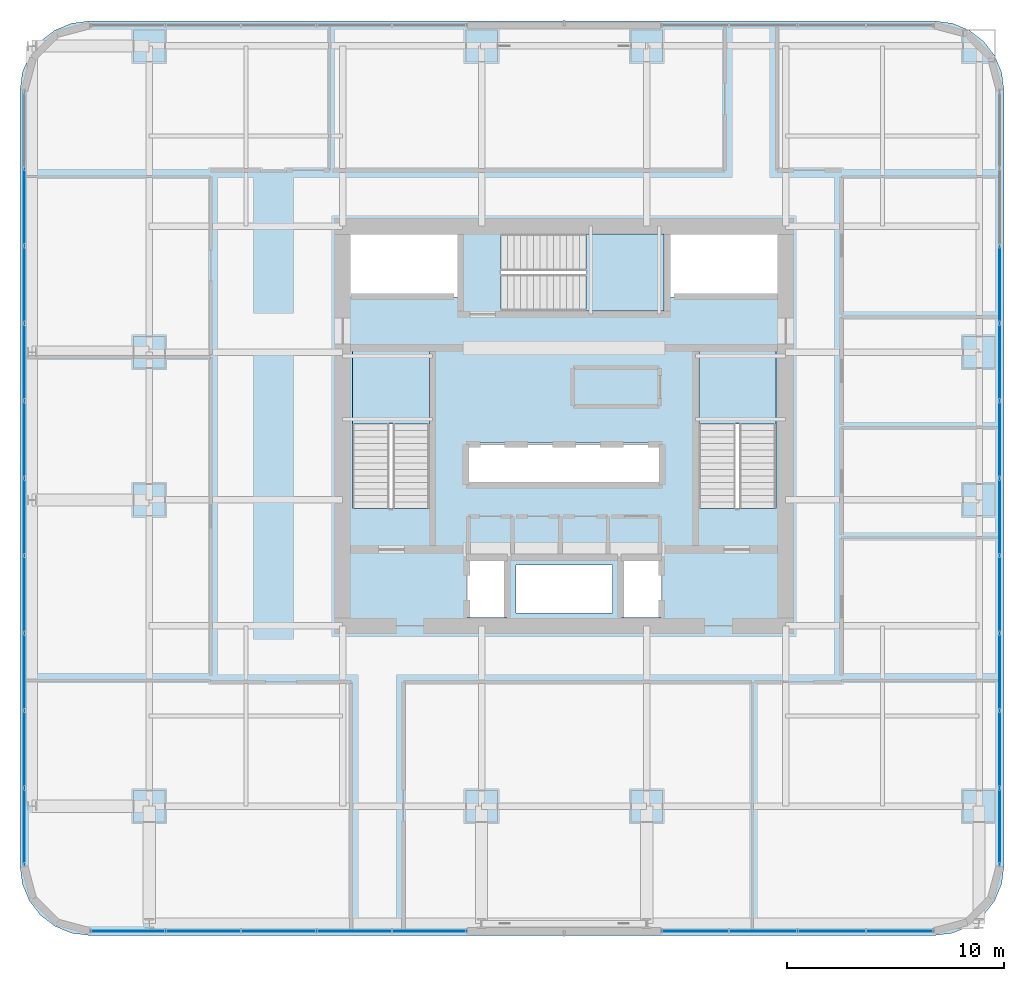
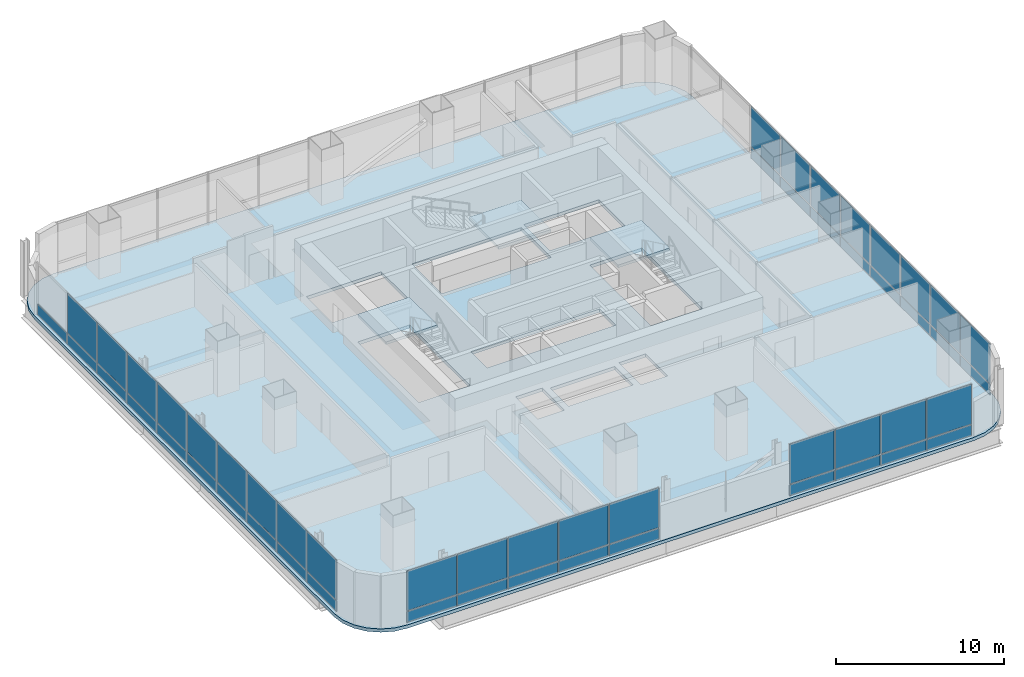
# One storey, part 23 of 37: 53 plates, 4 slabs, 7 elements without a shape of their own.
"""IFC4 building model written with IfcOpenShell, lengths in metres."""

from ifc_helpers import new_model, si_unit, direction, frame, origin, origin_2d, place, context, subcontext, project, spatial, polyline, rectangle, outline, extrude, material, layer, layer_set, type_object, element, aggregate, save


model = new_model("IFC4")

# Units and contexts
model_context = context("Model", 3, precision=1e-05, world=origin(), true_north=direction((0.0, 1.0)))
body_context = subcontext(model_context, "Body", "Model", "MODEL_VIEW")
ifc_project = project(units=[si_unit("LENGTHUNIT", "METRE"), si_unit("AREAUNIT", "SQUARE_METRE"), si_unit("VOLUMEUNIT", "CUBIC_METRE"), si_unit("PLANEANGLEUNIT", "RADIAN"), si_unit("MASSUNIT", "GRAM", prefix="KILO")], contexts=[model_context])

# Site, building, storey
site_placement = place(None, origin())
site = spatial("IfcSite", under=ifc_project, at=site_placement, CompositionType="ELEMENT")
building_placement = place(site_placement, origin())
building = spatial("IfcBuilding", under=site, at=building_placement, Name="Punatoya Terracotta Tower", CompositionType="ELEMENT")
storey_placement = place(building_placement, frame((0.0, 0.0, 44.39990234375)))
storey = spatial("IfcBuildingStorey", under=building, at=storey_placement, Name="L09", CompositionType="ELEMENT", Elevation=44.39990234375)

# Curtain wall, plates
ifc_material_1 = material(Name="Aluminium 6063-T6 + Double Low-E Glass", Category="aluminium")
curtain_wall_type = type_object("IfcCurtainWallType", Name="CW-M1", PredefinedType="NOTDEFINED", material=ifc_material_1)
curtain_wall_1_placement = place(storey_placement, origin())
curtain_wall_1 = element("IfcCurtainWall", 1, at=curtain_wall_1_placement, inside=storey, type_object=curtain_wall_type, Name="L09 Curtain Wall CW-L09-S01-1", PredefinedType="NOTDEFINED")
ifc_material_2 = material(Name="Double Low-E Clear Vision Glass", Category="glass")
ifc_layer_1 = layer(ifc_material_2, 0.028076171875)
ifc_layer_set_1 = layer_set([ifc_layer_1], Name="Double Low-E Clear Vision Glass")
plate_type_1 = type_object("IfcPlateType", Name="PLT-GLZ-28", PredefinedType="CURTAIN_PANEL", material=ifc_layer_set_1)
plate_1_placement = place(storey_placement, frame((-20.09814453125, -23.25, 0.89013671875), z_axis=(0.0, 0.0, 1.0), x_axis=(1.0, 0.0, 0.0)))
plate_1 = element("IfcPlate", 2, at=plate_1_placement, type_object=plate_type_1, Name="CW-L09-S01-1 Vision Glass Panel 1", PredefinedType="CURTAIN_PANEL", context=body_context, shape_type="SweptSolid", body=[
    extrude(rectangle(XDim=3.392333984375, YDim=0.028076171875, at=origin_2d()), origin(), (0.0, 0.0, 1.0), 2.8798828125),
])
plate_2_placement = place(storey_placement, frame((-16.620849609375, -23.25, 0.89013671875), z_axis=(0.0, 0.0, 1.0), x_axis=(1.0, 0.0, 0.0)))
plate_2 = element("IfcPlate", 3, at=plate_2_placement, type_object=plate_type_1, Name="CW-L09-S01-1 Vision Glass Panel 2", PredefinedType="CURTAIN_PANEL", context=body_context, shape_type="SweptSolid", body=[
    extrude(rectangle(XDim=3.392333984375, YDim=0.028076171875, at=origin_2d()), origin(), (0.0, 0.0, 1.0), 2.8798828125),
])
plate_3_placement = place(storey_placement, frame((-13.143310546875, -23.25, 0.89013671875), z_axis=(0.0, 0.0, 1.0), x_axis=(1.0, 0.0, 0.0)))
plate_3 = element("IfcPlate", 4, at=plate_3_placement, type_object=plate_type_1, Name="CW-L09-S01-1 Vision Glass Panel 3", PredefinedType="CURTAIN_PANEL", context=body_context, shape_type="SweptSolid", body=[
    extrude(rectangle(XDim=3.392333984375, YDim=0.028076171875, at=origin_2d()), origin(), (0.0, 0.0, 1.0), 2.8798828125),
])
plate_4_placement = place(storey_placement, frame((-9.666015625, -23.25, 0.89013671875), z_axis=(0.0, 0.0, 1.0), x_axis=(1.0, 0.0, 0.0)))
plate_4 = element("IfcPlate", 5, at=plate_4_placement, type_object=plate_type_1, Name="CW-L09-S01-1 Vision Glass Panel 4", PredefinedType="CURTAIN_PANEL", context=body_context, shape_type="SweptSolid", body=[
    extrude(rectangle(XDim=3.392333984375, YDim=0.028076171875, at=origin_2d()), origin(), (0.0, 0.0, 1.0), 2.8798828125),
])
plate_5_placement = place(storey_placement, frame((-6.188720703125, -23.25, 0.89013671875), z_axis=(0.0, 0.0, 1.0), x_axis=(1.0, 0.0, 0.0)))
plate_5 = element("IfcPlate", 6, at=plate_5_placement, type_object=plate_type_1, Name="CW-L09-S01-1 Vision Glass Panel 5", PredefinedType="CURTAIN_PANEL", context=body_context, shape_type="SweptSolid", body=[
    extrude(rectangle(XDim=3.392333984375, YDim=0.028076171875, at=origin_2d()), origin(), (0.0, 0.0, 1.0), 2.8798828125),
])

curtain_wall_2_placement = place(storey_placement, origin())
curtain_wall_2 = element("IfcCurtainWall", 7, at=curtain_wall_2_placement, inside=storey, type_object=curtain_wall_type, Name="L09 Curtain Wall CW-L09-S01-2", PredefinedType="NOTDEFINED")
plate_6_placement = place(storey_placement, frame((6.0234375, -23.25, 0.89013671875), z_axis=(0.0, 0.0, 1.0), x_axis=(1.0, 0.0, 0.0)))
plate_6 = element("IfcPlate", 8, at=plate_6_placement, type_object=plate_type_1, Name="CW-L09-S01-2 Vision Glass Panel 1", PredefinedType="CURTAIN_PANEL", context=body_context, shape_type="SweptSolid", body=[
    extrude(rectangle(XDim=3.061767578125, YDim=0.028076171875, at=origin_2d()), origin(), (0.0, 0.0, 1.0), 2.8798828125),
])
plate_7_placement = place(storey_placement, frame((9.170166015625, -23.25, 0.89013671875), z_axis=(0.0, 0.0, 1.0), x_axis=(1.0, 0.0, 0.0)))
plate_7 = element("IfcPlate", 9, at=plate_7_placement, type_object=plate_type_1, Name="CW-L09-S01-2 Vision Glass Panel 2", PredefinedType="CURTAIN_PANEL", context=body_context, shape_type="SweptSolid", body=[
    extrude(rectangle(XDim=3.061767578125, YDim=0.028076171875, at=origin_2d()), origin(), (0.0, 0.0, 1.0), 2.8798828125),
])
plate_8_placement = place(storey_placement, frame((12.31689453125, -23.25, 0.89013671875), z_axis=(0.0, 0.0, 1.0), x_axis=(1.0, 0.0, 0.0)))
plate_8 = element("IfcPlate", 10, at=plate_8_placement, type_object=plate_type_1, Name="CW-L09-S01-2 Vision Glass Panel 3", PredefinedType="CURTAIN_PANEL", context=body_context, shape_type="SweptSolid", body=[
    extrude(rectangle(XDim=3.061767578125, YDim=0.028076171875, at=origin_2d()), origin(), (0.0, 0.0, 1.0), 2.8798828125),
])
plate_9_placement = place(storey_placement, frame((15.46337890625, -23.25, 0.89013671875), z_axis=(0.0, 0.0, 1.0), x_axis=(1.0, 0.0, 0.0)))
plate_9 = element("IfcPlate", 11, at=plate_9_placement, type_object=plate_type_1, Name="CW-L09-S01-2 Vision Glass Panel 4", PredefinedType="CURTAIN_PANEL", context=body_context, shape_type="SweptSolid", body=[
    extrude(rectangle(XDim=3.061767578125, YDim=0.028076171875, at=origin_2d()), origin(), (0.0, 0.0, 1.0), 2.8798828125),
])

curtain_wall_3_placement = place(storey_placement, origin())
curtain_wall_3 = element("IfcCurtainWall", 12, at=curtain_wall_3_placement, inside=storey, type_object=curtain_wall_type, Name="L09 Curtain Wall CW-L09-E05-1", PredefinedType="NOTDEFINED")
plate_10_placement = place(storey_placement, frame((20.050048828125, -18.453125, 0.89013671875), z_axis=(0.0, 0.0, 1.0), x_axis=(0.0, 1.0, 0.0)))
plate_10 = element("IfcPlate", 13, at=plate_10_placement, type_object=plate_type_1, Name="CW-L09-E05-1 Vision Glass Panel 1", PredefinedType="CURTAIN_PANEL", context=body_context, shape_type="SweptSolid", body=[
    extrude(rectangle(XDim=3.482421875, YDim=0.028076171875, at=origin_2d()), origin(), (0.0, 0.0, 1.0), 2.8798828125),
])
plate_11_placement = place(storey_placement, frame((20.050048828125, -14.8857421875, 0.89013671875), z_axis=(0.0, 0.0, 1.0), x_axis=(0.0, 1.0, 0.0)))
plate_11 = element("IfcPlate", 14, at=plate_11_placement, type_object=plate_type_1, Name="CW-L09-E05-1 Vision Glass Panel 2", PredefinedType="CURTAIN_PANEL", context=body_context, shape_type="SweptSolid", body=[
    extrude(rectangle(XDim=3.482421875, YDim=0.028076171875, at=origin_2d()), origin(), (0.0, 0.0, 1.0), 2.8798828125),
])
plate_12_placement = place(storey_placement, frame((20.050048828125, -11.318359375, 0.89013671875), z_axis=(0.0, 0.0, 1.0), x_axis=(0.0, 1.0, 0.0)))
plate_12 = element("IfcPlate", 15, at=plate_12_placement, type_object=plate_type_1, Name="CW-L09-E05-1 Vision Glass Panel 3", PredefinedType="CURTAIN_PANEL", context=body_context, shape_type="SweptSolid", body=[
    extrude(rectangle(XDim=3.482421875, YDim=0.028076171875, at=origin_2d()), origin(), (0.0, 0.0, 1.0), 2.8798828125),
])
plate_13_placement = place(storey_placement, frame((20.050048828125, -7.751220703125, 0.89013671875), z_axis=(0.0, 0.0, 1.0), x_axis=(0.0, 1.0, 0.0)))
plate_13 = element("IfcPlate", 16, at=plate_13_placement, type_object=plate_type_1, Name="CW-L09-E05-1 Vision Glass Panel 4", PredefinedType="CURTAIN_PANEL", context=body_context, shape_type="SweptSolid", body=[
    extrude(rectangle(XDim=3.482421875, YDim=0.028076171875, at=origin_2d()), origin(), (0.0, 0.0, 1.0), 2.8798828125),
])
plate_14_placement = place(storey_placement, frame((20.050048828125, -4.18359375, 0.89013671875), z_axis=(0.0, 0.0, 1.0), x_axis=(0.0, 1.0, 0.0)))
plate_14 = element("IfcPlate", 17, at=plate_14_placement, type_object=plate_type_1, Name="CW-L09-E05-1 Vision Glass Panel 5", PredefinedType="CURTAIN_PANEL", context=body_context, shape_type="SweptSolid", body=[
    extrude(rectangle(XDim=3.482421875, YDim=0.028076171875, at=origin_2d()), origin(), (0.0, 0.0, 1.0), 2.8798828125),
])
plate_15_placement = place(storey_placement, frame((20.050048828125, -0.6162109375, 0.89013671875), z_axis=(0.0, 0.0, 1.0), x_axis=(0.0, 1.0, 0.0)))
plate_15 = element("IfcPlate", 18, at=plate_15_placement, type_object=plate_type_1, Name="CW-L09-E05-1 Vision Glass Panel 6", PredefinedType="CURTAIN_PANEL", context=body_context, shape_type="SweptSolid", body=[
    extrude(rectangle(XDim=3.482421875, YDim=0.028076171875, at=origin_2d()), origin(), (0.0, 0.0, 1.0), 2.8798828125),
])
plate_16_placement = place(storey_placement, frame((20.050048828125, 2.951171875, 0.89013671875), z_axis=(0.0, 0.0, 1.0), x_axis=(0.0, 1.0, 0.0)))
plate_16 = element("IfcPlate", 19, at=plate_16_placement, type_object=plate_type_1, Name="CW-L09-E05-1 Vision Glass Panel 7", PredefinedType="CURTAIN_PANEL", context=body_context, shape_type="SweptSolid", body=[
    extrude(rectangle(XDim=3.482421875, YDim=0.028076171875, at=origin_2d()), origin(), (0.0, 0.0, 1.0), 2.8798828125),
])
plate_17_placement = place(storey_placement, frame((20.050048828125, 6.518310546875, 0.89013671875), z_axis=(0.0, 0.0, 1.0), x_axis=(0.0, 1.0, 0.0)))
plate_17 = element("IfcPlate", 20, at=plate_17_placement, type_object=plate_type_1, Name="CW-L09-E05-1 Vision Glass Panel 8", PredefinedType="CURTAIN_PANEL", context=body_context, shape_type="SweptSolid", body=[
    extrude(rectangle(XDim=3.482421875, YDim=0.028076171875, at=origin_2d()), origin(), (0.0, 0.0, 1.0), 2.8798828125),
])

curtain_wall_4_placement = place(storey_placement, origin())
curtain_wall_4 = element("IfcCurtainWall", 21, at=curtain_wall_4_placement, inside=storey, type_object=curtain_wall_type, Name="L09 Curtain Wall CW-L09-W13-1", PredefinedType="NOTDEFINED")
plate_18_placement = place(storey_placement, frame((-24.85009765625, 10.085693359375, 0.89013671875), z_axis=(0.0, 0.0, 1.0), x_axis=(0.0, -1.0, 0.0)))
plate_18 = element("IfcPlate", 22, at=plate_18_placement, type_object=plate_type_1, Name="CW-L09-W13-1 Vision Glass Panel 2", PredefinedType="CURTAIN_PANEL", context=body_context, shape_type="SweptSolid", body=[
    extrude(rectangle(XDim=3.482421875, YDim=0.028076171875, at=origin_2d()), origin(), (0.0, 0.0, 1.0), 2.8798828125),
])
plate_19_placement = place(storey_placement, frame((-24.85009765625, 6.518310546875, 0.89013671875), z_axis=(0.0, 0.0, 1.0), x_axis=(0.0, -1.0, 0.0)))
plate_19 = element("IfcPlate", 23, at=plate_19_placement, type_object=plate_type_1, Name="CW-L09-W13-1 Vision Glass Panel 3", PredefinedType="CURTAIN_PANEL", context=body_context, shape_type="SweptSolid", body=[
    extrude(rectangle(XDim=3.482421875, YDim=0.028076171875, at=origin_2d()), origin(), (0.0, 0.0, 1.0), 2.8798828125),
])
plate_20_placement = place(storey_placement, frame((-24.85009765625, 2.951171875, 0.89013671875), z_axis=(0.0, 0.0, 1.0), x_axis=(0.0, -1.0, 0.0)))
plate_20 = element("IfcPlate", 24, at=plate_20_placement, type_object=plate_type_1, Name="CW-L09-W13-1 Vision Glass Panel 4", PredefinedType="CURTAIN_PANEL", context=body_context, shape_type="SweptSolid", body=[
    extrude(rectangle(XDim=3.482421875, YDim=0.028076171875, at=origin_2d()), origin(), (0.0, 0.0, 1.0), 2.8798828125),
])
plate_21_placement = place(storey_placement, frame((-24.85009765625, -0.6162109375, 0.89013671875), z_axis=(0.0, 0.0, 1.0), x_axis=(0.0, -1.0, 0.0)))
plate_21 = element("IfcPlate", 25, at=plate_21_placement, type_object=plate_type_1, Name="CW-L09-W13-1 Vision Glass Panel 5", PredefinedType="CURTAIN_PANEL", context=body_context, shape_type="SweptSolid", body=[
    extrude(rectangle(XDim=3.482421875, YDim=0.028076171875, at=origin_2d()), origin(), (0.0, 0.0, 1.0), 2.8798828125),
])
plate_22_placement = place(storey_placement, frame((-24.85009765625, -4.18359375, 0.89013671875), z_axis=(0.0, 0.0, 1.0), x_axis=(0.0, -1.0, 0.0)))
plate_22 = element("IfcPlate", 26, at=plate_22_placement, type_object=plate_type_1, Name="CW-L09-W13-1 Vision Glass Panel 6", PredefinedType="CURTAIN_PANEL", context=body_context, shape_type="SweptSolid", body=[
    extrude(rectangle(XDim=3.482421875, YDim=0.028076171875, at=origin_2d()), origin(), (0.0, 0.0, 1.0), 2.8798828125),
])
plate_23_placement = place(storey_placement, frame((-24.85009765625, -7.751220703125, 0.89013671875), z_axis=(0.0, 0.0, 1.0), x_axis=(0.0, -1.0, 0.0)))
plate_23 = element("IfcPlate", 27, at=plate_23_placement, type_object=plate_type_1, Name="CW-L09-W13-1 Vision Glass Panel 7", PredefinedType="CURTAIN_PANEL", context=body_context, shape_type="SweptSolid", body=[
    extrude(rectangle(XDim=3.482421875, YDim=0.028076171875, at=origin_2d()), origin(), (0.0, 0.0, 1.0), 2.8798828125),
])
plate_24_placement = place(storey_placement, frame((-24.85009765625, -11.318359375, 0.89013671875), z_axis=(0.0, 0.0, 1.0), x_axis=(0.0, -1.0, 0.0)))
plate_24 = element("IfcPlate", 28, at=plate_24_placement, type_object=plate_type_1, Name="CW-L09-W13-1 Vision Glass Panel 8", PredefinedType="CURTAIN_PANEL", context=body_context, shape_type="SweptSolid", body=[
    extrude(rectangle(XDim=3.482421875, YDim=0.028076171875, at=origin_2d()), origin(), (0.0, 0.0, 1.0), 2.8798828125),
])
plate_25_placement = place(storey_placement, frame((-24.85009765625, -14.8857421875, 0.89013671875), z_axis=(0.0, 0.0, 1.0), x_axis=(0.0, -1.0, 0.0)))
plate_25 = element("IfcPlate", 29, at=plate_25_placement, type_object=plate_type_1, Name="CW-L09-W13-1 Vision Glass Panel 9", PredefinedType="CURTAIN_PANEL", context=body_context, shape_type="SweptSolid", body=[
    extrude(rectangle(XDim=3.482421875, YDim=0.028076171875, at=origin_2d()), origin(), (0.0, 0.0, 1.0), 2.8798828125),
])
plate_26_placement = place(storey_placement, frame((-24.85009765625, -18.453125, 0.89013671875), z_axis=(0.0, 0.0, 1.0), x_axis=(0.0, -1.0, 0.0)))
plate_26 = element("IfcPlate", 30, at=plate_26_placement, type_object=plate_type_1, Name="CW-L09-W13-1 Vision Glass Panel 10", PredefinedType="CURTAIN_PANEL", context=body_context, shape_type="SweptSolid", body=[
    extrude(rectangle(XDim=3.482421875, YDim=0.028076171875, at=origin_2d()), origin(), (0.0, 0.0, 1.0), 2.8798828125),
])

# Plate
ifc_material_3 = material(Name="Insulated Terracotta-Backed Spandrel Panel", Category="masonry")
ifc_layer_2 = layer(ifc_material_3, 0.044921875)
ifc_layer_set_2 = layer_set([ifc_layer_2], Name="Insulated Terracotta-Backed Spandrel Panel")
plate_type_2 = type_object("IfcPlateType", Name="PLT-SPN-45", PredefinedType="CURTAIN_PANEL", material=ifc_layer_set_2)
plate_27_placement = place(storey_placement, frame((-20.09814453125, -23.25, 0.0400390625), z_axis=(0.0, 0.0, 1.0), x_axis=(1.0, 0.0, 0.0)))
plate_27 = element("IfcPlate", 31, at=plate_27_placement, type_object=plate_type_2, Name="CW-L09-S01-1 Terracotta Spandrel Panel 1", PredefinedType="CURTAIN_PANEL", context=body_context, shape_type="SweptSolid", body=[
    extrude(rectangle(XDim=3.392333984375, YDim=0.044921875, at=origin_2d()), origin(), (0.0, 0.0, 1.0), 0.77490234375),
])

plate_28_placement = place(storey_placement, frame((-16.620849609375, -23.25, 0.0400390625), z_axis=(0.0, 0.0, 1.0), x_axis=(1.0, 0.0, 0.0)))
plate_28 = element("IfcPlate", 32, at=plate_28_placement, type_object=plate_type_2, Name="CW-L09-S01-1 Terracotta Spandrel Panel 2", PredefinedType="CURTAIN_PANEL", context=body_context, shape_type="SweptSolid", body=[
    extrude(rectangle(XDim=3.392333984375, YDim=0.044921875, at=origin_2d()), origin(), (0.0, 0.0, 1.0), 0.77490234375),
])

plate_29_placement = place(storey_placement, frame((-13.143310546875, -23.25, 0.0400390625), z_axis=(0.0, 0.0, 1.0), x_axis=(1.0, 0.0, 0.0)))
plate_29 = element("IfcPlate", 33, at=plate_29_placement, type_object=plate_type_2, Name="CW-L09-S01-1 Terracotta Spandrel Panel 3", PredefinedType="CURTAIN_PANEL", context=body_context, shape_type="SweptSolid", body=[
    extrude(rectangle(XDim=3.392333984375, YDim=0.044921875, at=origin_2d()), origin(), (0.0, 0.0, 1.0), 0.77490234375),
])

plate_30_placement = place(storey_placement, frame((-9.666015625, -23.25, 0.0400390625), z_axis=(0.0, 0.0, 1.0), x_axis=(1.0, 0.0, 0.0)))
plate_30 = element("IfcPlate", 34, at=plate_30_placement, type_object=plate_type_2, Name="CW-L09-S01-1 Terracotta Spandrel Panel 4", PredefinedType="CURTAIN_PANEL", context=body_context, shape_type="SweptSolid", body=[
    extrude(rectangle(XDim=3.392333984375, YDim=0.044921875, at=origin_2d()), origin(), (0.0, 0.0, 1.0), 0.77490234375),
])

plate_31_placement = place(storey_placement, frame((-6.188720703125, -23.25, 0.0400390625), z_axis=(0.0, 0.0, 1.0), x_axis=(1.0, 0.0, 0.0)))
plate_31 = element("IfcPlate", 35, at=plate_31_placement, type_object=plate_type_2, Name="CW-L09-S01-1 Terracotta Spandrel Panel 5", PredefinedType="CURTAIN_PANEL", context=body_context, shape_type="SweptSolid", body=[
    extrude(rectangle(XDim=3.392333984375, YDim=0.044921875, at=origin_2d()), origin(), (0.0, 0.0, 1.0), 0.77490234375),
])

aggregate(curtain_wall_1, [plate_27, plate_1, plate_28, plate_2, plate_29, plate_3, plate_30, plate_4, plate_31, plate_5])

plate_32_placement = place(storey_placement, frame((6.0234375, -23.25, 0.0400390625), z_axis=(0.0, 0.0, 1.0), x_axis=(1.0, 0.0, 0.0)))
plate_32 = element("IfcPlate", 36, at=plate_32_placement, type_object=plate_type_2, Name="CW-L09-S01-2 Terracotta Spandrel Panel 1", PredefinedType="CURTAIN_PANEL", context=body_context, shape_type="SweptSolid", body=[
    extrude(rectangle(XDim=3.061767578125, YDim=0.044921875, at=origin_2d()), origin(), (0.0, 0.0, 1.0), 0.77490234375),
])

plate_33_placement = place(storey_placement, frame((9.170166015625, -23.25, 0.0400390625), z_axis=(0.0, 0.0, 1.0), x_axis=(1.0, 0.0, 0.0)))
plate_33 = element("IfcPlate", 37, at=plate_33_placement, type_object=plate_type_2, Name="CW-L09-S01-2 Terracotta Spandrel Panel 2", PredefinedType="CURTAIN_PANEL", context=body_context, shape_type="SweptSolid", body=[
    extrude(rectangle(XDim=3.061767578125, YDim=0.044921875, at=origin_2d()), origin(), (0.0, 0.0, 1.0), 0.77490234375),
])

plate_34_placement = place(storey_placement, frame((12.31689453125, -23.25, 0.0400390625), z_axis=(0.0, 0.0, 1.0), x_axis=(1.0, 0.0, 0.0)))
plate_34 = element("IfcPlate", 38, at=plate_34_placement, type_object=plate_type_2, Name="CW-L09-S01-2 Terracotta Spandrel Panel 3", PredefinedType="CURTAIN_PANEL", context=body_context, shape_type="SweptSolid", body=[
    extrude(rectangle(XDim=3.061767578125, YDim=0.044921875, at=origin_2d()), origin(), (0.0, 0.0, 1.0), 0.77490234375),
])

plate_35_placement = place(storey_placement, frame((15.46337890625, -23.25, 0.0400390625), z_axis=(0.0, 0.0, 1.0), x_axis=(1.0, 0.0, 0.0)))
plate_35 = element("IfcPlate", 39, at=plate_35_placement, type_object=plate_type_2, Name="CW-L09-S01-2 Terracotta Spandrel Panel 4", PredefinedType="CURTAIN_PANEL", context=body_context, shape_type="SweptSolid", body=[
    extrude(rectangle(XDim=3.061767578125, YDim=0.044921875, at=origin_2d()), origin(), (0.0, 0.0, 1.0), 0.77490234375),
])

aggregate(curtain_wall_2, [plate_32, plate_6, plate_33, plate_7, plate_34, plate_8, plate_35, plate_9])

plate_36_placement = place(storey_placement, frame((20.050048828125, -18.453125, 0.0400390625), z_axis=(0.0, 0.0, 1.0), x_axis=(0.0, 1.0, 0.0)))
plate_36 = element("IfcPlate", 40, at=plate_36_placement, type_object=plate_type_2, Name="CW-L09-E05-1 Terracotta Spandrel Panel 1", PredefinedType="CURTAIN_PANEL", context=body_context, shape_type="SweptSolid", body=[
    extrude(rectangle(XDim=3.482421875, YDim=0.044921875, at=origin_2d()), origin(), (0.0, 0.0, 1.0), 0.77490234375),
])

plate_37_placement = place(storey_placement, frame((20.050048828125, -14.8857421875, 0.0400390625), z_axis=(0.0, 0.0, 1.0), x_axis=(0.0, 1.0, 0.0)))
plate_37 = element("IfcPlate", 41, at=plate_37_placement, type_object=plate_type_2, Name="CW-L09-E05-1 Terracotta Spandrel Panel 2", PredefinedType="CURTAIN_PANEL", context=body_context, shape_type="SweptSolid", body=[
    extrude(rectangle(XDim=3.482421875, YDim=0.044921875, at=origin_2d()), origin(), (0.0, 0.0, 1.0), 0.77490234375),
])

plate_38_placement = place(storey_placement, frame((20.050048828125, -11.318359375, 0.0400390625), z_axis=(0.0, 0.0, 1.0), x_axis=(0.0, 1.0, 0.0)))
plate_38 = element("IfcPlate", 42, at=plate_38_placement, type_object=plate_type_2, Name="CW-L09-E05-1 Terracotta Spandrel Panel 3", PredefinedType="CURTAIN_PANEL", context=body_context, shape_type="SweptSolid", body=[
    extrude(rectangle(XDim=3.482421875, YDim=0.044921875, at=origin_2d()), origin(), (0.0, 0.0, 1.0), 0.77490234375),
])

plate_39_placement = place(storey_placement, frame((20.050048828125, -7.751220703125, 0.0400390625), z_axis=(0.0, 0.0, 1.0), x_axis=(0.0, 1.0, 0.0)))
plate_39 = element("IfcPlate", 43, at=plate_39_placement, type_object=plate_type_2, Name="CW-L09-E05-1 Terracotta Spandrel Panel 4", PredefinedType="CURTAIN_PANEL", context=body_context, shape_type="SweptSolid", body=[
    extrude(rectangle(XDim=3.482421875, YDim=0.044921875, at=origin_2d()), origin(), (0.0, 0.0, 1.0), 0.77490234375),
])

plate_40_placement = place(storey_placement, frame((20.050048828125, -4.18359375, 0.0400390625), z_axis=(0.0, 0.0, 1.0), x_axis=(0.0, 1.0, 0.0)))
plate_40 = element("IfcPlate", 44, at=plate_40_placement, type_object=plate_type_2, Name="CW-L09-E05-1 Terracotta Spandrel Panel 5", PredefinedType="CURTAIN_PANEL", context=body_context, shape_type="SweptSolid", body=[
    extrude(rectangle(XDim=3.482421875, YDim=0.044921875, at=origin_2d()), origin(), (0.0, 0.0, 1.0), 0.77490234375),
])

plate_41_placement = place(storey_placement, frame((20.050048828125, -0.6162109375, 0.0400390625), z_axis=(0.0, 0.0, 1.0), x_axis=(0.0, 1.0, 0.0)))
plate_41 = element("IfcPlate", 45, at=plate_41_placement, type_object=plate_type_2, Name="CW-L09-E05-1 Terracotta Spandrel Panel 6", PredefinedType="CURTAIN_PANEL", context=body_context, shape_type="SweptSolid", body=[
    extrude(rectangle(XDim=3.482421875, YDim=0.044921875, at=origin_2d()), origin(), (0.0, 0.0, 1.0), 0.77490234375),
])

plate_42_placement = place(storey_placement, frame((20.050048828125, 2.951171875, 0.0400390625), z_axis=(0.0, 0.0, 1.0), x_axis=(0.0, 1.0, 0.0)))
plate_42 = element("IfcPlate", 46, at=plate_42_placement, type_object=plate_type_2, Name="CW-L09-E05-1 Terracotta Spandrel Panel 7", PredefinedType="CURTAIN_PANEL", context=body_context, shape_type="SweptSolid", body=[
    extrude(rectangle(XDim=3.482421875, YDim=0.044921875, at=origin_2d()), origin(), (0.0, 0.0, 1.0), 0.77490234375),
])

plate_43_placement = place(storey_placement, frame((20.050048828125, 6.518310546875, 0.0400390625), z_axis=(0.0, 0.0, 1.0), x_axis=(0.0, 1.0, 0.0)))
plate_43 = element("IfcPlate", 47, at=plate_43_placement, type_object=plate_type_2, Name="CW-L09-E05-1 Terracotta Spandrel Panel 8", PredefinedType="CURTAIN_PANEL", context=body_context, shape_type="SweptSolid", body=[
    extrude(rectangle(XDim=3.482421875, YDim=0.044921875, at=origin_2d()), origin(), (0.0, 0.0, 1.0), 0.77490234375),
])

aggregate(curtain_wall_3, [plate_36, plate_10, plate_37, plate_11, plate_38, plate_12, plate_39, plate_13, plate_40, plate_14, plate_41, plate_15, plate_42, plate_16, plate_43, plate_17])

plate_44_placement = place(storey_placement, frame((-24.85009765625, 13.6533203125, 0.0400390625), z_axis=(0.0, 0.0, 1.0), x_axis=(0.0, -1.0, 0.0)))
plate_44 = element("IfcPlate", 48, at=plate_44_placement, type_object=plate_type_2, Name="CW-L09-W13-1 Terracotta Spandrel Panel 1", PredefinedType="CURTAIN_PANEL", context=body_context, shape_type="SweptSolid", body=[
    extrude(rectangle(XDim=3.482421875, YDim=0.044921875, at=origin_2d()), origin(), (0.0, 0.0, 1.0), 0.77490234375),
])

plate_45_placement = place(storey_placement, frame((-24.85009765625, 10.085693359375, 0.0400390625), z_axis=(0.0, 0.0, 1.0), x_axis=(0.0, -1.0, 0.0)))
plate_45 = element("IfcPlate", 49, at=plate_45_placement, type_object=plate_type_2, Name="CW-L09-W13-1 Terracotta Spandrel Panel 2", PredefinedType="CURTAIN_PANEL", context=body_context, shape_type="SweptSolid", body=[
    extrude(rectangle(XDim=3.482421875, YDim=0.044921875, at=origin_2d()), origin(), (0.0, 0.0, 1.0), 0.77490234375),
])

plate_46_placement = place(storey_placement, frame((-24.85009765625, 6.518310546875, 0.0400390625), z_axis=(0.0, 0.0, 1.0), x_axis=(0.0, -1.0, 0.0)))
plate_46 = element("IfcPlate", 50, at=plate_46_placement, type_object=plate_type_2, Name="CW-L09-W13-1 Terracotta Spandrel Panel 3", PredefinedType="CURTAIN_PANEL", context=body_context, shape_type="SweptSolid", body=[
    extrude(rectangle(XDim=3.482421875, YDim=0.044921875, at=origin_2d()), origin(), (0.0, 0.0, 1.0), 0.77490234375),
])

plate_47_placement = place(storey_placement, frame((-24.85009765625, 2.951171875, 0.0400390625), z_axis=(0.0, 0.0, 1.0), x_axis=(0.0, -1.0, 0.0)))
plate_47 = element("IfcPlate", 51, at=plate_47_placement, type_object=plate_type_2, Name="CW-L09-W13-1 Terracotta Spandrel Panel 4", PredefinedType="CURTAIN_PANEL", context=body_context, shape_type="SweptSolid", body=[
    extrude(rectangle(XDim=3.482421875, YDim=0.044921875, at=origin_2d()), origin(), (0.0, 0.0, 1.0), 0.77490234375),
])

plate_48_placement = place(storey_placement, frame((-24.85009765625, -0.6162109375, 0.0400390625), z_axis=(0.0, 0.0, 1.0), x_axis=(0.0, -1.0, 0.0)))
plate_48 = element("IfcPlate", 52, at=plate_48_placement, type_object=plate_type_2, Name="CW-L09-W13-1 Terracotta Spandrel Panel 5", PredefinedType="CURTAIN_PANEL", context=body_context, shape_type="SweptSolid", body=[
    extrude(rectangle(XDim=3.482421875, YDim=0.044921875, at=origin_2d()), origin(), (0.0, 0.0, 1.0), 0.77490234375),
])

plate_49_placement = place(storey_placement, frame((-24.85009765625, -4.18359375, 0.0400390625), z_axis=(0.0, 0.0, 1.0), x_axis=(0.0, -1.0, 0.0)))
plate_49 = element("IfcPlate", 53, at=plate_49_placement, type_object=plate_type_2, Name="CW-L09-W13-1 Terracotta Spandrel Panel 6", PredefinedType="CURTAIN_PANEL", context=body_context, shape_type="SweptSolid", body=[
    extrude(rectangle(XDim=3.482421875, YDim=0.044921875, at=origin_2d()), origin(), (0.0, 0.0, 1.0), 0.77490234375),
])

plate_50_placement = place(storey_placement, frame((-24.85009765625, -7.751220703125, 0.0400390625), z_axis=(0.0, 0.0, 1.0), x_axis=(0.0, -1.0, 0.0)))
plate_50 = element("IfcPlate", 54, at=plate_50_placement, type_object=plate_type_2, Name="CW-L09-W13-1 Terracotta Spandrel Panel 7", PredefinedType="CURTAIN_PANEL", context=body_context, shape_type="SweptSolid", body=[
    extrude(rectangle(XDim=3.482421875, YDim=0.044921875, at=origin_2d()), origin(), (0.0, 0.0, 1.0), 0.77490234375),
])

plate_51_placement = place(storey_placement, frame((-24.85009765625, -11.318359375, 0.0400390625), z_axis=(0.0, 0.0, 1.0), x_axis=(0.0, -1.0, 0.0)))
plate_51 = element("IfcPlate", 55, at=plate_51_placement, type_object=plate_type_2, Name="CW-L09-W13-1 Terracotta Spandrel Panel 8", PredefinedType="CURTAIN_PANEL", context=body_context, shape_type="SweptSolid", body=[
    extrude(rectangle(XDim=3.482421875, YDim=0.044921875, at=origin_2d()), origin(), (0.0, 0.0, 1.0), 0.77490234375),
])

plate_52_placement = place(storey_placement, frame((-24.85009765625, -14.8857421875, 0.0400390625), z_axis=(0.0, 0.0, 1.0), x_axis=(0.0, -1.0, 0.0)))
plate_52 = element("IfcPlate", 56, at=plate_52_placement, type_object=plate_type_2, Name="CW-L09-W13-1 Terracotta Spandrel Panel 9", PredefinedType="CURTAIN_PANEL", context=body_context, shape_type="SweptSolid", body=[
    extrude(rectangle(XDim=3.482421875, YDim=0.044921875, at=origin_2d()), origin(), (0.0, 0.0, 1.0), 0.77490234375),
])

plate_53_placement = place(storey_placement, frame((-24.85009765625, -18.453125, 0.0400390625), z_axis=(0.0, 0.0, 1.0), x_axis=(0.0, -1.0, 0.0)))
plate_53 = element("IfcPlate", 57, at=plate_53_placement, type_object=plate_type_2, Name="CW-L09-W13-1 Terracotta Spandrel Panel 10", PredefinedType="CURTAIN_PANEL", context=body_context, shape_type="SweptSolid", body=[
    extrude(rectangle(XDim=3.482421875, YDim=0.044921875, at=origin_2d()), origin(), (0.0, 0.0, 1.0), 0.77490234375),
])

aggregate(curtain_wall_4, [plate_44, plate_45, plate_18, plate_46, plate_19, plate_47, plate_20, plate_48, plate_21, plate_49, plate_22, plate_50, plate_23, plate_51, plate_24, plate_52, plate_25, plate_53, plate_26])

# Stair, slab
ifc_material_4 = material(Name="Concrete C40/50", Category="concrete")
stair_type_1 = type_object("IfcStairType", Name="STR-TER-1450", PredefinedType="HALF_TURN_STAIR", material=ifc_material_4)
stair_1_placement = place(storey_placement, origin())
stair_1 = element("IfcStair", 58, at=stair_1_placement, inside=storey, type_object=stair_type_1, Name="L09 Protected Core Exit Stair ST-3", PredefinedType="HALF_TURN_STAIR")
ifc_layer_3 = layer(ifc_material_4, 0.1650390625)
ifc_layer_set_3 = layer_set([ifc_layer_3], Name="Concrete C40/50")
slab_type_1 = type_object("IfcSlabType", Name="SLB-LND-165", PredefinedType="LANDING", material=ifc_layer_set_3)
slab_1_placement = place(storey_placement, frame((0.0, 0.0, 1.8251953125)))
slab_1 = element("IfcSlab", 59, at=slab_1_placement, type_object=slab_type_1, Name="ST-3 landing 1", PredefinedType="LANDING", context=body_context, shape_type="SweptSolid", body=[
    extrude(outline(polyline([(1.0, 5.300048828125), (4.60009765625, 5.300048828125), (4.60009765625, 8.85009765625), (1.0, 8.85009765625), (1.0, 5.300048828125)])), origin(), (0.0, 0.0, 1.0), 0.199951171875),
])
aggregate(stair_1, [slab_1])

stair_type_2 = type_object("IfcStairType", Name="STR-CORE-1550", PredefinedType="HALF_TURN_STAIR", material=ifc_material_4)
stair_2_placement = place(storey_placement, origin())
stair_2 = element("IfcStair", 60, at=stair_2_placement, inside=storey, type_object=stair_type_2, Name="L09 Protected Core Exit Stair ST-1", PredefinedType="HALF_TURN_STAIR")
ifc_layer_4 = layer(ifc_material_4, 0.179931640625)
ifc_layer_set_4 = layer_set([ifc_layer_4], Name="Concrete C40/50")
slab_type_2 = type_object("IfcSlabType", Name="SLB-LND-180", PredefinedType="LANDING", material=ifc_layer_set_4)
slab_2_placement = place(storey_placement, frame((0.0, 0.0, 1.8251953125)))
slab_2 = element("IfcSlab", 61, at=slab_2_placement, type_object=slab_type_2, Name="ST-1 landing 1", PredefinedType="LANDING", context=body_context, shape_type="SweptSolid", body=[
    extrude(outline(polyline([(-6.199951171875, 0.10009765625), (-6.199951171875, 3.449951171875), (-9.75, 3.449951171875), (-9.75, 0.10009765625), (-6.199951171875, 0.10009765625)])), origin(), (0.0, 0.0, 1.0), 0.199951171875),
])
aggregate(stair_2, [slab_2])

stair_type_3 = type_object("IfcStairType", Name="STR-LOB-1650", PredefinedType="HALF_TURN_STAIR", material=ifc_material_4)
stair_3_placement = place(storey_placement, origin())
stair_3 = element("IfcStair", 62, at=stair_3_placement, inside=storey, type_object=stair_type_3, Name="L09 Protected Core Exit Stair ST-2", PredefinedType="HALF_TURN_STAIR")
slab_3_placement = place(storey_placement, frame((0.0, 0.0, 1.8251953125)))
slab_3 = element("IfcSlab", 63, at=slab_3_placement, type_object=slab_type_2, Name="ST-2 landing 1", PredefinedType="LANDING", context=body_context, shape_type="SweptSolid", body=[
    extrude(outline(polyline([(9.75, 0.10009765625), (9.75, 3.449951171875), (6.199951171875, 3.449951171875), (6.199951171875, 0.10009765625), (9.75, 0.10009765625)])), origin(), (0.0, 0.0, 1.0), 0.199951171875),
])
aggregate(stair_3, [slab_3])

# Slab
ifc_layer_5 = layer(ifc_material_4, 0.239990234375)
ifc_layer_set_5 = layer_set([ifc_layer_5], Name="Concrete C40/50")
slab_type_3 = type_object("IfcSlabType", Name="SLB-OFF-240", PredefinedType="FLOOR", material=ifc_layer_set_5)
slab_4_placement = place(storey_placement, frame((0.0, 0.0, -0.239990234375)))
element("IfcSlab", 64, at=slab_4_placement, inside=storey, type_object=slab_type_3, Name="L09 Structural Floor Slab", PredefinedType="FLOOR", context=body_context, shape_type="SweptSolid", body=[
    extrude(outline(polyline([(-21.85009765625, -23.449951171875), (-22.67822265625, -23.341064453125), (-23.449951171875, -23.021240234375), (-24.11279296875, -22.5126953125), (-24.621337890625, -21.85009765625), (-24.94091796875, -21.078125), (-25.050048828125, -20.25), (-25.050048828125, 15.449951171875), (-24.94091796875, 16.2783203125), (-24.621337890625, 17.050048828125), (-24.11279296875, 17.712646484375), (-23.449951171875, 18.22119140625), (-22.67822265625, 18.541015625), (-21.85009765625, 18.64990234375), (17.050048828125, 18.64990234375), (17.878173828125, 18.541015625), (18.64990234375, 18.22119140625), (19.312744140625, 17.712646484375), (19.8212890625, 17.050048828125), (20.14111328125, 16.2783203125), (20.25, 15.449951171875), (20.25, -20.25), (20.14111328125, -21.078125), (19.8212890625, -21.85009765625), (19.312744140625, -22.5126953125), (18.64990234375, -23.021240234375), (17.878173828125, -23.341064453125), (17.050048828125, -23.449951171875), (-21.85009765625, -23.449951171875)]), holes=[polyline([(-2.6298828125, -6.179931640625), (-4.469970703125, -6.179931640625), (-4.469970703125, -8.820068359375), (-2.6298828125, -8.820068359375), (-2.6298828125, -6.179931640625)]), polyline([(0.02001953125, -8.594970703125), (2.219970703125, -8.594970703125), (2.219970703125, -6.405029296875), (0.02001953125, -6.405029296875), (-0.02001953125, -6.405029296875), (-2.219970703125, -6.405029296875), (-2.219970703125, -8.594970703125), (-0.02001953125, -8.594970703125), (0.02001953125, -8.594970703125)]), polyline([(-2.219970703125, -2.719970703125), (-2.179931640625, -2.719970703125), (-0.02001953125, -2.719970703125), (0.02001953125, -2.719970703125), (2.179931640625, -2.719970703125), (2.219970703125, -2.719970703125), (4.419921875, -2.719970703125), (4.419921875, -0.780029296875), (2.219970703125, -0.780029296875), (2.179931640625, -0.780029296875), (0.02001953125, -0.780029296875), (-0.02001953125, -0.780029296875), (-2.179931640625, -0.780029296875), (-2.219970703125, -0.780029296875), (-4.419921875, -0.780029296875), (-4.419921875, -2.719970703125), (-2.219970703125, -2.719970703125)]), polyline([(-6.199951171875, 3.449951171875), (-9.75, 3.449951171875), (-9.75, -3.79931640625), (-6.199951171875, -3.79931640625), (-6.199951171875, 3.449951171875)]), polyline([(4.60009765625, 5.300048828125), (4.60009765625, 8.85009765625), (-2.899169921875, 8.85009765625), (-2.899169921875, 5.300048828125), (4.60009765625, 5.300048828125)]), polyline([(-4.89990234375, 9.050048828125), (-10.050048828125, 9.050048828125), (-10.050048828125, 5.949951171875), (-4.89990234375, 5.949951171875), (-4.89990234375, 9.050048828125)]), polyline([(4.469970703125, -8.820068359375), (4.469970703125, -6.179931640625), (2.6298828125, -6.179931640625), (2.6298828125, -8.820068359375), (4.469970703125, -8.820068359375)]), polyline([(9.75, 3.449951171875), (6.199951171875, 3.449951171875), (6.199951171875, -3.79931640625), (9.75, -3.79931640625), (9.75, 3.449951171875)]), polyline([(10.050048828125, 5.949951171875), (10.050048828125, 9.050048828125), (4.89990234375, 9.050048828125), (4.89990234375, 5.949951171875), (10.050048828125, 5.949951171875)])]), origin(), (0.0, 0.0, 1.0), 0.239990234375),
])

save(model, "model.ifc")
